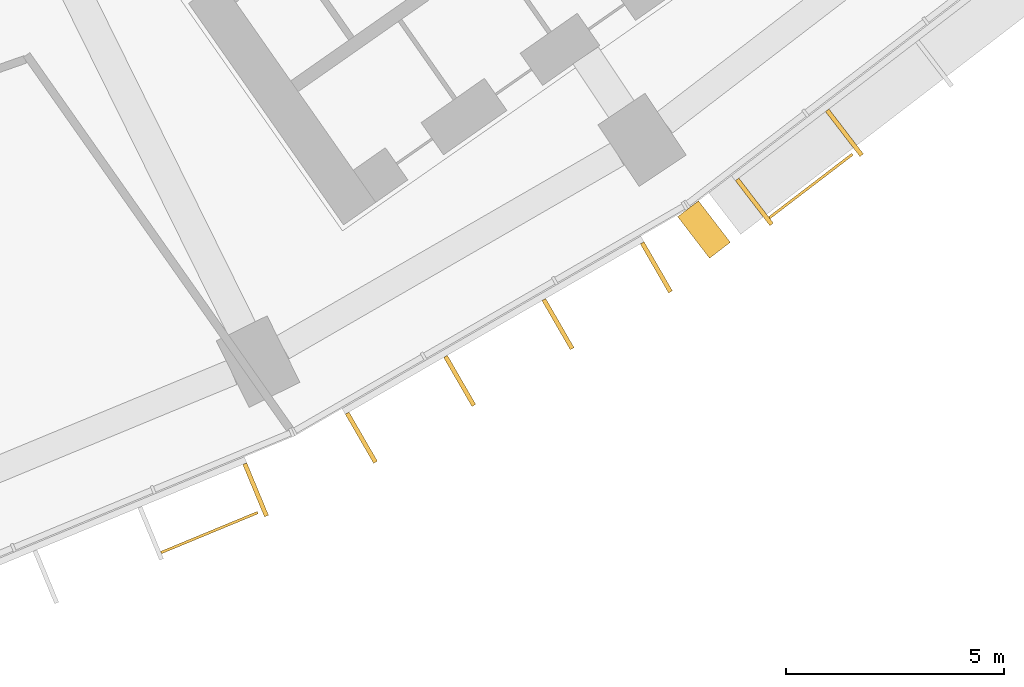
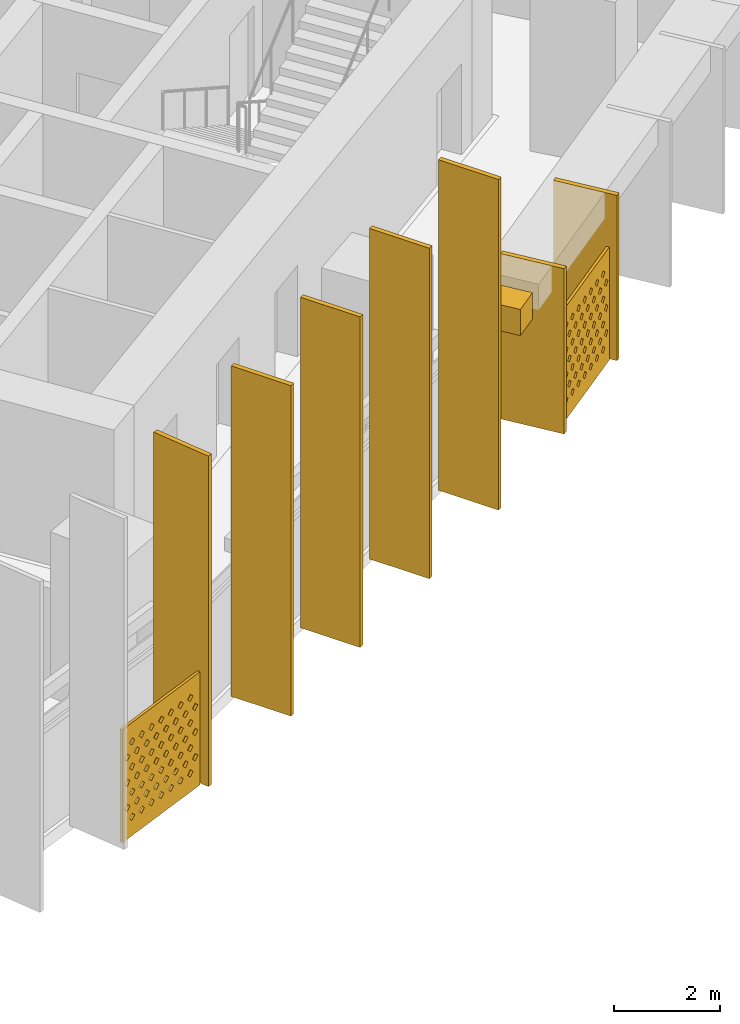
# One storey, part 29 of 31: 10 shading devices.
"""IFC4 building model written with IfcOpenShell, lengths in metres."""

import ifcopenshell
import ifcopenshell.guid

model = None  # the IFC model being written
_history = None  # IfcOwnerHistory: only IFC2X3 demands one
_inside = {}  # id of a spatial element -> (the spatial element, [elements in it])
_under = {}  # id of a project, library or spatial element -> (it, [spatial elements below it])
_declared = {}  # id of a project -> (the project, [libraries it declares])
_typed = {}  # id of a type object -> (the type object, [elements of that type])
_made_of = {}  # id of a material, layer set ... -> (it, [elements and type objects made of it])


def new_model(schema):
    """Start an empty IFC model of exactly this schema.

    Asked for "IFC4X3", IfcOpenShell would pick the latest addendum, in which some entities
    have other attributes; the version numbers below select the first issue.
    IFC2X3 requires an IfcOwnerHistory on every rooted entity: one is made here for all.
    """
    global model, _history
    if schema == "IFC4X3":
        model = ifcopenshell.file(schema_version=(4, 3, 0, 0))
    else:
        model = ifcopenshell.file(schema=schema)
    _inside.clear()
    _under.clear()
    _declared.clear()
    _typed.clear()
    _made_of.clear()
    _history = None
    if model.schema == "IFC2X3":
        org = make("IfcOrganization", Name="unknown")
        user = make(
            "IfcPersonAndOrganization",
            ThePerson=make("IfcPerson", FamilyName="unknown"),
            TheOrganization=org,
        )
        app = make(
            "IfcApplication",
            ApplicationDeveloper=org,
            Version="unknown",
            ApplicationFullName="unknown",
            ApplicationIdentifier="unknown",
        )
        _history = make(
            "IfcOwnerHistory",
            OwningUser=user,
            OwningApplication=app,
            ChangeAction="ADDED",
            CreationDate=0,
        )
    return model


def make(cls, **values):
    """One entity of the class cls with the attributes given. An attribute that is None is left unset."""
    return model.create_entity(
        cls, **{name: value for name, value in values.items() if value is not None}
    )


def rooted(cls, **values):
    """An entity with a GlobalId (a new one), such as an element, a storey or a relation."""
    return make(cls, GlobalId=ifcopenshell.guid.new(), OwnerHistory=_history, **values)


def si_unit(unit_type, name, prefix=None):
    """IfcSIUnit, for example si_unit("LENGTHUNIT", "METRE", prefix="MILLI")."""
    return make("IfcSIUnit", UnitType=unit_type, Prefix=prefix, Name=name)


def assignment(units):
    """IfcUnitAssignment: the units of a project."""
    return None if units is None else make("IfcUnitAssignment", Units=units)


def point(xyz):
    """IfcCartesianPoint."""
    return None if xyz is None else make("IfcCartesianPoint", Coordinates=xyz)


def direction(xyz):
    """IfcDirection."""
    return None if xyz is None else make("IfcDirection", DirectionRatios=xyz)


def frame(location, z_axis=None, x_axis=None):
    """IfcAxis2Placement3D, a coordinate frame: its origin and axes. An axis left out is left unset."""
    return make(
        "IfcAxis2Placement3D",
        Location=point(location),
        Axis=direction(z_axis),
        RefDirection=direction(x_axis),
    )


def frame_2d(location, x_axis=None):
    """IfcAxis2Placement2D, a coordinate frame in the plane: its origin and x axis."""
    return make(
        "IfcAxis2Placement2D", Location=point(location), RefDirection=direction(x_axis)
    )


def origin():
    """The frame at (0, 0, 0) with its axes left unset."""
    return frame((0.0, 0.0, 0.0))


def origin_2d():
    """The frame at (0, 0) in the plane with its x axis left unset."""
    return frame_2d((0.0, 0.0))


def place(relative_to, where):
    """IfcLocalPlacement: puts the frame where relative to a parent placement (None: the world)."""
    return make(
        "IfcLocalPlacement", PlacementRelTo=relative_to, RelativePlacement=where
    )


def context(
    kind, dimensions, precision=None, world=None, true_north=None, identifier=None
):
    """IfcGeometricRepresentationContext, for example the 3D "Model" context."""
    return make(
        "IfcGeometricRepresentationContext",
        ContextIdentifier=identifier,
        ContextType=kind,
        CoordinateSpaceDimension=dimensions,
        Precision=precision,
        WorldCoordinateSystem=world,
        TrueNorth=true_north,
    )


def subcontext(parent, identifier, kind, view, scale=None):
    """IfcGeometricRepresentationSubContext, for example "Body" below "Model"."""
    return make(
        "IfcGeometricRepresentationSubContext",
        ContextIdentifier=identifier,
        ContextType=kind,
        ParentContext=parent,
        TargetScale=scale,
        TargetView=view,
    )


def project(units=None, contexts=None):
    """IfcProject with its units and contexts."""
    return rooted(
        "IfcProject",
        Name="project",
        RepresentationContexts=contexts,
        UnitsInContext=assignment(units),
    )


def spatial(cls, under=None, at=None, **own):
    """A site, building, storey or space (cls), placed at a placement, below another one or the project."""
    s = rooted(cls, ObjectPlacement=at, **own)
    if under is not None:
        _under.setdefault(under.id(), (under, []))[1].append(s)
    return s


def polyline(points):
    """IfcPolyline through the points."""
    return make("IfcPolyline", Points=[point(p) for p in points])


def profile(cls, at=None, kind="AREA", **sizes):
    """A parametric profile (cls). Its sizes go by their IFC names, for example OverallWidth=200.0."""
    return make(cls, ProfileType=kind, Position=at, **sizes)


def rectangle(**sizes):
    """IfcRectangleProfileDef."""
    return profile("IfcRectangleProfileDef", **sizes)


def outline(outer, holes=None, kind="AREA"):
    """IfcArbitraryClosedProfileDef: a profile drawn as a closed curve; with holes, ...WithVoids."""
    if holes is None:
        return make("IfcArbitraryClosedProfileDef", ProfileType=kind, OuterCurve=outer)
    return make(
        "IfcArbitraryProfileDefWithVoids",
        ProfileType=kind,
        OuterCurve=outer,
        InnerCurves=holes,
    )


def extrude(swept, where, along, depth):
    """IfcExtrudedAreaSolid: the profile swept, set in the frame where, extruded along a direction by depth."""
    return make(
        "IfcExtrudedAreaSolid",
        SweptArea=swept,
        Position=where,
        ExtrudedDirection=direction(along),
        Depth=depth,
    )


def shape(context_of_items, identifier, shape_type, items):
    """IfcShapeRepresentation: the items that make up one representation, for example the "Body"."""
    return make(
        "IfcShapeRepresentation",
        ContextOfItems=context_of_items,
        RepresentationIdentifier=identifier,
        RepresentationType=shape_type,
        Items=items,
    )


def material(Name=None, Category=None):
    """IfcMaterial."""
    return make("IfcMaterial", Name=Name, Category=Category)


def material_profile(
    of_material, cross_section, Name=None, Category=None, Priority=None
):
    """IfcMaterialProfile: a cross section and its material."""
    return make(
        "IfcMaterialProfile",
        Name=Name,
        Material=of_material,
        Profile=cross_section,
        Priority=Priority,
        Category=Category,
    )


def profile_set(profiles, Name=None, composite=None):
    """IfcMaterialProfileSet."""
    return make(
        "IfcMaterialProfileSet",
        Name=Name,
        MaterialProfiles=profiles,
        CompositeProfile=composite,
    )


def made_of(thing, what):
    """Note that an element or type object is made of a material, layer set ...; save() writes the relation."""
    if what is not None:
        _made_of.setdefault(what.id(), (what, []))[1].append(thing)
    return thing


def type_object(cls, material=None, **own):
    """A type object (cls), such as IfcWallType, which elements share."""
    return made_of(rooted(cls, **own), material)


def element(
    cls,
    number,
    at=None,
    inside=None,
    cuts=None,
    type_object=None,
    material=None,
    context=None,
    identifier="Body",
    shape_type=None,
    held_by="IfcProductDefinitionShape",
    body=None,
    shapes=None,
    **own,
):
    """One element of the class cls, such as IfcWall. Its Tag is "e" and its number.

    at: its placement. inside: the storey or other place that contains it. cuts: it is an
    opening in that element (IfcRelVoidsElement). A single representation is given by context,
    identifier, shape_type and body (its items); several are given by shapes. held_by: the class
    of the entity that holds the representations. save() writes the other relations.
    """
    e = rooted(cls, Tag="e%d" % number, ObjectPlacement=at, **own)
    if body is not None:
        shapes = [shape(context, identifier, shape_type, body)]
    if shapes is not None:
        e.Representation = make(held_by, Representations=shapes)
    if inside is not None:
        _inside.setdefault(inside.id(), (inside, []))[1].append(e)
    if cuts is not None:
        rooted(
            "IfcRelVoidsElement", RelatingBuildingElement=cuts, RelatedOpeningElement=e
        )
    if type_object is not None:
        _typed.setdefault(type_object.id(), (type_object, []))[1].append(e)
    return made_of(e, material)


def aggregate(whole, parts):
    """IfcRelAggregates: a whole, such as a stair, and the parts it consists of."""
    return rooted("IfcRelAggregates", RelatingObject=whole, RelatedObjects=parts)


def save(model, path):
    """Write the relations noted so far, then the file.

    IfcRelAggregates (storeys below a building ...), IfcRelContainedInSpatialStructure (elements
    in a storey), IfcRelDefinesByType, IfcRelAssociatesMaterial and IfcRelDeclares: one each for
    every whole, place, type object, material and project.
    """
    for whole, parts in _under.values():
        aggregate(whole, parts)
    for where, things in _inside.values():
        rooted(
            "IfcRelContainedInSpatialStructure",
            RelatedElements=things,
            RelatingStructure=where,
        )
    for kind, things in _typed.values():
        rooted("IfcRelDefinesByType", RelatedObjects=things, RelatingType=kind)
    for what, things in _made_of.values():
        rooted("IfcRelAssociatesMaterial", RelatedObjects=things, RelatingMaterial=what)
    for by, libraries in _declared.values():
        rooted("IfcRelDeclares", RelatingContext=by, RelatedDefinitions=libraries)
    model.write(path)


model = new_model("IFC4")

# Units and contexts
model_context = context("Model", 3, precision=1e-05, world=origin(), true_north=direction((0.0, 1.0)))
body_context = subcontext(model_context, "Body", "Model", "MODEL_VIEW")
ifc_project = project(units=[si_unit("LENGTHUNIT", "METRE"), si_unit("AREAUNIT", "SQUARE_METRE"), si_unit("VOLUMEUNIT", "CUBIC_METRE"), si_unit("PLANEANGLEUNIT", "RADIAN"), si_unit("MASSUNIT", "GRAM", prefix="KILO")], contexts=[model_context])

# Site, building, storey
site_placement = place(None, origin())
site = spatial("IfcSite", under=ifc_project, at=site_placement, CompositionType="ELEMENT")
building_placement = place(site_placement, origin())
building = spatial("IfcBuilding", under=site, at=building_placement, Name="Qamariyya Broadcast Tower", CompositionType="ELEMENT")
storey_placement = place(building_placement, frame((0.0, 0.0, 55.699951171875)))
storey = spatial("IfcBuildingStorey", under=building, at=storey_placement, Name="L10", CompositionType="ELEMENT", Elevation=55.699951171875)

# Shading devices
ifc_material_1 = material(Name="Steel S355 powder coated deep red", Category="steel")
shading_device_type_1 = type_object("IfcShadingDeviceType", Name="Deep red frame, powder coated steel box section", PredefinedType="USERDEFINED", material=ifc_material_1)
shading_device_1_placement = place(storey_placement, frame((0.0, 0.0, 3.199951171875)))
element("IfcShadingDevice", 1, at=shading_device_1_placement, inside=storey, type_object=shading_device_type_1, Name="e-frm-B1-F5-posta-L10", ObjectType="FRAME", PredefinedType="USERDEFINED", context=body_context, shape_type="SweptSolid", body=[
    extrude(outline(polyline([(44.01318359375, -66.4091796875), (44.74365234375, -67.361328125), (45.2197265625, -66.995849609375), (44.4892578125, -66.0439453125), (44.01318359375, -66.4091796875)])), origin(), (0.0, 0.0, 1.0), 0.60009765625),
])
ifc_material_2 = material(Name="Perforated glazed terracotta", Category="masonry")
ifc_material_profile_1 = material_profile(ifc_material_2, outline(polyline([(-1.199951171875, -1.300048828125), (1.199951171875, -1.300048828125), (1.199951171875, 1.300048828125), (-1.199951171875, 1.300048828125), (-1.199951171875, -1.300048828125)]), holes=[polyline([(-0.81494140625, -0.86669921875), (-0.89990234375, -0.78173828125), (-0.985107421875, -0.86669921875), (-0.89990234375, -0.95166015625), (-0.81494140625, -0.86669921875)]), polyline([(-0.514892578125, -0.86669921875), (-0.60009765625, -0.78173828125), (-0.68505859375, -0.86669921875), (-0.60009765625, -0.95166015625), (-0.514892578125, -0.86669921875)]), polyline([(-0.215087890625, -0.86669921875), (-0.300048828125, -0.78173828125), (-0.385009765625, -0.86669921875), (-0.300048828125, -0.95166015625), (-0.215087890625, -0.86669921875)]), polyline([(0.0849609375, -0.86669921875), (0.0, -0.78173828125), (-0.0849609375, -0.86669921875), (0.0, -0.95166015625), (0.0849609375, -0.86669921875)]), polyline([(0.385009765625, -0.86669921875), (0.300048828125, -0.78173828125), (0.215087890625, -0.86669921875), (0.300048828125, -0.95166015625), (0.385009765625, -0.86669921875)]), polyline([(0.68505859375, -0.86669921875), (0.60009765625, -0.78173828125), (0.514892578125, -0.86669921875), (0.60009765625, -0.95166015625), (0.68505859375, -0.86669921875)]), polyline([(0.985107421875, -0.86669921875), (0.89990234375, -0.78173828125), (0.81494140625, -0.86669921875), (0.89990234375, -0.95166015625), (0.985107421875, -0.86669921875)]), polyline([(-0.965087890625, -0.577880859375), (-1.050048828125, -0.49267578125), (-1.135009765625, -0.577880859375), (-1.050048828125, -0.662841796875), (-0.965087890625, -0.577880859375)]), polyline([(-0.6650390625, -0.577880859375), (-0.75, -0.49267578125), (-0.8349609375, -0.577880859375), (-0.75, -0.662841796875), (-0.6650390625, -0.577880859375)]), polyline([(-0.364990234375, -0.577880859375), (-0.449951171875, -0.49267578125), (-0.534912109375, -0.577880859375), (-0.449951171875, -0.662841796875), (-0.364990234375, -0.577880859375)]), polyline([(-0.06494140625, -0.577880859375), (-0.14990234375, -0.49267578125), (-0.235107421875, -0.577880859375), (-0.14990234375, -0.662841796875), (-0.06494140625, -0.577880859375)]), polyline([(0.235107421875, -0.577880859375), (0.14990234375, -0.49267578125), (0.06494140625, -0.577880859375), (0.14990234375, -0.662841796875), (0.235107421875, -0.577880859375)]), polyline([(0.534912109375, -0.577880859375), (0.449951171875, -0.49267578125), (0.364990234375, -0.577880859375), (0.449951171875, -0.662841796875), (0.534912109375, -0.577880859375)]), polyline([(0.8349609375, -0.577880859375), (0.75, -0.49267578125), (0.6650390625, -0.577880859375), (0.75, -0.662841796875), (0.8349609375, -0.577880859375)]), polyline([(1.135009765625, -0.577880859375), (1.050048828125, -0.49267578125), (0.965087890625, -0.577880859375), (1.050048828125, -0.662841796875), (1.135009765625, -0.577880859375)]), polyline([(-0.81494140625, -0.288818359375), (-0.89990234375, -0.203857421875), (-0.985107421875, -0.288818359375), (-0.89990234375, -0.373779296875), (-0.81494140625, -0.288818359375)]), polyline([(-0.514892578125, -0.288818359375), (-0.60009765625, -0.203857421875), (-0.68505859375, -0.288818359375), (-0.60009765625, -0.373779296875), (-0.514892578125, -0.288818359375)]), polyline([(-0.215087890625, -0.288818359375), (-0.300048828125, -0.203857421875), (-0.385009765625, -0.288818359375), (-0.300048828125, -0.373779296875), (-0.215087890625, -0.288818359375)]), polyline([(0.0849609375, -0.288818359375), (0.0, -0.203857421875), (-0.0849609375, -0.288818359375), (0.0, -0.373779296875), (0.0849609375, -0.288818359375)]), polyline([(0.385009765625, -0.288818359375), (0.300048828125, -0.203857421875), (0.215087890625, -0.288818359375), (0.300048828125, -0.373779296875), (0.385009765625, -0.288818359375)]), polyline([(0.68505859375, -0.288818359375), (0.60009765625, -0.203857421875), (0.514892578125, -0.288818359375), (0.60009765625, -0.373779296875), (0.68505859375, -0.288818359375)]), polyline([(0.985107421875, -0.288818359375), (0.89990234375, -0.203857421875), (0.81494140625, -0.288818359375), (0.89990234375, -0.373779296875), (0.985107421875, -0.288818359375)]), polyline([(-0.965087890625, 0.0), (-1.050048828125, 0.0849609375), (-1.135009765625, 0.0), (-1.050048828125, -0.0849609375), (-0.965087890625, 0.0)]), polyline([(-0.6650390625, 0.0), (-0.75, 0.0849609375), (-0.8349609375, 0.0), (-0.75, -0.0849609375), (-0.6650390625, 0.0)]), polyline([(-0.364990234375, 0.0), (-0.449951171875, 0.0849609375), (-0.534912109375, 0.0), (-0.449951171875, -0.0849609375), (-0.364990234375, 0.0)]), polyline([(-0.06494140625, 0.0), (-0.14990234375, 0.0849609375), (-0.235107421875, 0.0), (-0.14990234375, -0.0849609375), (-0.06494140625, 0.0)]), polyline([(0.235107421875, 0.0), (0.14990234375, 0.0849609375), (0.06494140625, 0.0), (0.14990234375, -0.0849609375), (0.235107421875, 0.0)]), polyline([(0.534912109375, 0.0), (0.449951171875, 0.0849609375), (0.364990234375, 0.0), (0.449951171875, -0.0849609375), (0.534912109375, 0.0)]), polyline([(0.8349609375, 0.0), (0.75, 0.0849609375), (0.6650390625, 0.0), (0.75, -0.0849609375), (0.8349609375, 0.0)]), polyline([(1.135009765625, 0.0), (1.050048828125, 0.0849609375), (0.965087890625, 0.0), (1.050048828125, -0.0849609375), (1.135009765625, 0.0)]), polyline([(-0.81494140625, 0.288818359375), (-0.89990234375, 0.373779296875), (-0.985107421875, 0.288818359375), (-0.89990234375, 0.203857421875), (-0.81494140625, 0.288818359375)]), polyline([(-0.514892578125, 0.288818359375), (-0.60009765625, 0.373779296875), (-0.68505859375, 0.288818359375), (-0.60009765625, 0.203857421875), (-0.514892578125, 0.288818359375)]), polyline([(-0.215087890625, 0.288818359375), (-0.300048828125, 0.373779296875), (-0.385009765625, 0.288818359375), (-0.300048828125, 0.203857421875), (-0.215087890625, 0.288818359375)]), polyline([(0.0849609375, 0.288818359375), (0.0, 0.373779296875), (-0.0849609375, 0.288818359375), (0.0, 0.203857421875), (0.0849609375, 0.288818359375)]), polyline([(0.385009765625, 0.288818359375), (0.300048828125, 0.373779296875), (0.215087890625, 0.288818359375), (0.300048828125, 0.203857421875), (0.385009765625, 0.288818359375)]), polyline([(0.68505859375, 0.288818359375), (0.60009765625, 0.373779296875), (0.514892578125, 0.288818359375), (0.60009765625, 0.203857421875), (0.68505859375, 0.288818359375)]), polyline([(0.985107421875, 0.288818359375), (0.89990234375, 0.373779296875), (0.81494140625, 0.288818359375), (0.89990234375, 0.203857421875), (0.985107421875, 0.288818359375)]), polyline([(-0.965087890625, 0.577880859375), (-1.050048828125, 0.662841796875), (-1.135009765625, 0.577880859375), (-1.050048828125, 0.49267578125), (-0.965087890625, 0.577880859375)]), polyline([(-0.6650390625, 0.577880859375), (-0.75, 0.662841796875), (-0.8349609375, 0.577880859375), (-0.75, 0.49267578125), (-0.6650390625, 0.577880859375)]), polyline([(-0.364990234375, 0.577880859375), (-0.449951171875, 0.662841796875), (-0.534912109375, 0.577880859375), (-0.449951171875, 0.49267578125), (-0.364990234375, 0.577880859375)]), polyline([(-0.06494140625, 0.577880859375), (-0.14990234375, 0.662841796875), (-0.235107421875, 0.577880859375), (-0.14990234375, 0.49267578125), (-0.06494140625, 0.577880859375)]), polyline([(0.235107421875, 0.577880859375), (0.14990234375, 0.662841796875), (0.06494140625, 0.577880859375), (0.14990234375, 0.49267578125), (0.235107421875, 0.577880859375)]), polyline([(0.534912109375, 0.577880859375), (0.449951171875, 0.662841796875), (0.364990234375, 0.577880859375), (0.449951171875, 0.49267578125), (0.534912109375, 0.577880859375)]), polyline([(0.8349609375, 0.577880859375), (0.75, 0.662841796875), (0.6650390625, 0.577880859375), (0.75, 0.49267578125), (0.8349609375, 0.577880859375)]), polyline([(1.135009765625, 0.577880859375), (1.050048828125, 0.662841796875), (0.965087890625, 0.577880859375), (1.050048828125, 0.49267578125), (1.135009765625, 0.577880859375)]), polyline([(-0.81494140625, 0.86669921875), (-0.89990234375, 0.95166015625), (-0.985107421875, 0.86669921875), (-0.89990234375, 0.78173828125), (-0.81494140625, 0.86669921875)]), polyline([(-0.514892578125, 0.86669921875), (-0.60009765625, 0.95166015625), (-0.68505859375, 0.86669921875), (-0.60009765625, 0.78173828125), (-0.514892578125, 0.86669921875)]), polyline([(-0.215087890625, 0.86669921875), (-0.300048828125, 0.95166015625), (-0.385009765625, 0.86669921875), (-0.300048828125, 0.78173828125), (-0.215087890625, 0.86669921875)]), polyline([(0.0849609375, 0.86669921875), (0.0, 0.95166015625), (-0.0849609375, 0.86669921875), (0.0, 0.78173828125), (0.0849609375, 0.86669921875)]), polyline([(0.385009765625, 0.86669921875), (0.300048828125, 0.95166015625), (0.215087890625, 0.86669921875), (0.300048828125, 0.78173828125), (0.385009765625, 0.86669921875)]), polyline([(0.68505859375, 0.86669921875), (0.60009765625, 0.95166015625), (0.514892578125, 0.86669921875), (0.60009765625, 0.78173828125), (0.68505859375, 0.86669921875)]), polyline([(0.985107421875, 0.86669921875), (0.89990234375, 0.95166015625), (0.81494140625, 0.86669921875), (0.89990234375, 0.78173828125), (0.985107421875, 0.86669921875)])]))
ifc_profile_set_1 = profile_set([ifc_material_profile_1], Name="Perforated glazed terracotta")
shading_device_type_2 = type_object("IfcShadingDeviceType", Name="Perforated terracotta screen 2400 x 2600", PredefinedType="USERDEFINED", material=ifc_profile_set_1)
shading_device_2_placement = place(storey_placement, frame((33.259521484375, -73.6259765625, 1.35009765625), z_axis=(0.382591441855, -0.923917630863, 0.0), x_axis=(0.923917630863, 0.382591441855, 0.0)))
element("IfcShadingDevice", 2, at=shading_device_2_placement, inside=storey, type_object=shading_device_type_2, Name="e-scr-L10-11-2", ObjectType="SCREEN", PredefinedType="USERDEFINED", context=body_context, shape_type="SweptSolid", body=[
    extrude(outline(polyline([(-1.199951171875, -1.300048828125), (1.199951171875, -1.300048828125), (1.199951171875, 1.300048828125), (-1.199951171875, 1.300048828125), (-1.199951171875, -1.300048828125)]), holes=[polyline([(-0.81494140625, -0.86669921875), (-0.89990234375, -0.78173828125), (-0.985107421875, -0.86669921875), (-0.89990234375, -0.95166015625), (-0.81494140625, -0.86669921875)]), polyline([(-0.514892578125, -0.86669921875), (-0.60009765625, -0.78173828125), (-0.68505859375, -0.86669921875), (-0.60009765625, -0.95166015625), (-0.514892578125, -0.86669921875)]), polyline([(-0.215087890625, -0.86669921875), (-0.300048828125, -0.78173828125), (-0.385009765625, -0.86669921875), (-0.300048828125, -0.95166015625), (-0.215087890625, -0.86669921875)]), polyline([(0.0849609375, -0.86669921875), (0.0, -0.78173828125), (-0.0849609375, -0.86669921875), (0.0, -0.95166015625), (0.0849609375, -0.86669921875)]), polyline([(0.385009765625, -0.86669921875), (0.300048828125, -0.78173828125), (0.215087890625, -0.86669921875), (0.300048828125, -0.95166015625), (0.385009765625, -0.86669921875)]), polyline([(0.68505859375, -0.86669921875), (0.60009765625, -0.78173828125), (0.514892578125, -0.86669921875), (0.60009765625, -0.95166015625), (0.68505859375, -0.86669921875)]), polyline([(0.985107421875, -0.86669921875), (0.89990234375, -0.78173828125), (0.81494140625, -0.86669921875), (0.89990234375, -0.95166015625), (0.985107421875, -0.86669921875)]), polyline([(-0.965087890625, -0.577880859375), (-1.050048828125, -0.49267578125), (-1.135009765625, -0.577880859375), (-1.050048828125, -0.662841796875), (-0.965087890625, -0.577880859375)]), polyline([(-0.6650390625, -0.577880859375), (-0.75, -0.49267578125), (-0.8349609375, -0.577880859375), (-0.75, -0.662841796875), (-0.6650390625, -0.577880859375)]), polyline([(-0.364990234375, -0.577880859375), (-0.449951171875, -0.49267578125), (-0.534912109375, -0.577880859375), (-0.449951171875, -0.662841796875), (-0.364990234375, -0.577880859375)]), polyline([(-0.06494140625, -0.577880859375), (-0.14990234375, -0.49267578125), (-0.235107421875, -0.577880859375), (-0.14990234375, -0.662841796875), (-0.06494140625, -0.577880859375)]), polyline([(0.235107421875, -0.577880859375), (0.14990234375, -0.49267578125), (0.06494140625, -0.577880859375), (0.14990234375, -0.662841796875), (0.235107421875, -0.577880859375)]), polyline([(0.534912109375, -0.577880859375), (0.449951171875, -0.49267578125), (0.364990234375, -0.577880859375), (0.449951171875, -0.662841796875), (0.534912109375, -0.577880859375)]), polyline([(0.8349609375, -0.577880859375), (0.75, -0.49267578125), (0.6650390625, -0.577880859375), (0.75, -0.662841796875), (0.8349609375, -0.577880859375)]), polyline([(1.135009765625, -0.577880859375), (1.050048828125, -0.49267578125), (0.965087890625, -0.577880859375), (1.050048828125, -0.662841796875), (1.135009765625, -0.577880859375)]), polyline([(-0.81494140625, -0.288818359375), (-0.89990234375, -0.203857421875), (-0.985107421875, -0.288818359375), (-0.89990234375, -0.373779296875), (-0.81494140625, -0.288818359375)]), polyline([(-0.514892578125, -0.288818359375), (-0.60009765625, -0.203857421875), (-0.68505859375, -0.288818359375), (-0.60009765625, -0.373779296875), (-0.514892578125, -0.288818359375)]), polyline([(-0.215087890625, -0.288818359375), (-0.300048828125, -0.203857421875), (-0.385009765625, -0.288818359375), (-0.300048828125, -0.373779296875), (-0.215087890625, -0.288818359375)]), polyline([(0.0849609375, -0.288818359375), (0.0, -0.203857421875), (-0.0849609375, -0.288818359375), (0.0, -0.373779296875), (0.0849609375, -0.288818359375)]), polyline([(0.385009765625, -0.288818359375), (0.300048828125, -0.203857421875), (0.215087890625, -0.288818359375), (0.300048828125, -0.373779296875), (0.385009765625, -0.288818359375)]), polyline([(0.68505859375, -0.288818359375), (0.60009765625, -0.203857421875), (0.514892578125, -0.288818359375), (0.60009765625, -0.373779296875), (0.68505859375, -0.288818359375)]), polyline([(0.985107421875, -0.288818359375), (0.89990234375, -0.203857421875), (0.81494140625, -0.288818359375), (0.89990234375, -0.373779296875), (0.985107421875, -0.288818359375)]), polyline([(-0.965087890625, 0.0), (-1.050048828125, 0.0849609375), (-1.135009765625, 0.0), (-1.050048828125, -0.0849609375), (-0.965087890625, 0.0)]), polyline([(-0.6650390625, 0.0), (-0.75, 0.0849609375), (-0.8349609375, 0.0), (-0.75, -0.0849609375), (-0.6650390625, 0.0)]), polyline([(-0.364990234375, 0.0), (-0.449951171875, 0.0849609375), (-0.534912109375, 0.0), (-0.449951171875, -0.0849609375), (-0.364990234375, 0.0)]), polyline([(-0.06494140625, 0.0), (-0.14990234375, 0.0849609375), (-0.235107421875, 0.0), (-0.14990234375, -0.0849609375), (-0.06494140625, 0.0)]), polyline([(0.235107421875, 0.0), (0.14990234375, 0.0849609375), (0.06494140625, 0.0), (0.14990234375, -0.0849609375), (0.235107421875, 0.0)]), polyline([(0.534912109375, 0.0), (0.449951171875, 0.0849609375), (0.364990234375, 0.0), (0.449951171875, -0.0849609375), (0.534912109375, 0.0)]), polyline([(0.8349609375, 0.0), (0.75, 0.0849609375), (0.6650390625, 0.0), (0.75, -0.0849609375), (0.8349609375, 0.0)]), polyline([(1.135009765625, 0.0), (1.050048828125, 0.0849609375), (0.965087890625, 0.0), (1.050048828125, -0.0849609375), (1.135009765625, 0.0)]), polyline([(-0.81494140625, 0.288818359375), (-0.89990234375, 0.373779296875), (-0.985107421875, 0.288818359375), (-0.89990234375, 0.203857421875), (-0.81494140625, 0.288818359375)]), polyline([(-0.514892578125, 0.288818359375), (-0.60009765625, 0.373779296875), (-0.68505859375, 0.288818359375), (-0.60009765625, 0.203857421875), (-0.514892578125, 0.288818359375)]), polyline([(-0.215087890625, 0.288818359375), (-0.300048828125, 0.373779296875), (-0.385009765625, 0.288818359375), (-0.300048828125, 0.203857421875), (-0.215087890625, 0.288818359375)]), polyline([(0.0849609375, 0.288818359375), (0.0, 0.373779296875), (-0.0849609375, 0.288818359375), (0.0, 0.203857421875), (0.0849609375, 0.288818359375)]), polyline([(0.385009765625, 0.288818359375), (0.300048828125, 0.373779296875), (0.215087890625, 0.288818359375), (0.300048828125, 0.203857421875), (0.385009765625, 0.288818359375)]), polyline([(0.68505859375, 0.288818359375), (0.60009765625, 0.373779296875), (0.514892578125, 0.288818359375), (0.60009765625, 0.203857421875), (0.68505859375, 0.288818359375)]), polyline([(0.985107421875, 0.288818359375), (0.89990234375, 0.373779296875), (0.81494140625, 0.288818359375), (0.89990234375, 0.203857421875), (0.985107421875, 0.288818359375)]), polyline([(-0.965087890625, 0.577880859375), (-1.050048828125, 0.662841796875), (-1.135009765625, 0.577880859375), (-1.050048828125, 0.49267578125), (-0.965087890625, 0.577880859375)]), polyline([(-0.6650390625, 0.577880859375), (-0.75, 0.662841796875), (-0.8349609375, 0.577880859375), (-0.75, 0.49267578125), (-0.6650390625, 0.577880859375)]), polyline([(-0.364990234375, 0.577880859375), (-0.449951171875, 0.662841796875), (-0.534912109375, 0.577880859375), (-0.449951171875, 0.49267578125), (-0.364990234375, 0.577880859375)]), polyline([(-0.06494140625, 0.577880859375), (-0.14990234375, 0.662841796875), (-0.235107421875, 0.577880859375), (-0.14990234375, 0.49267578125), (-0.06494140625, 0.577880859375)]), polyline([(0.235107421875, 0.577880859375), (0.14990234375, 0.662841796875), (0.06494140625, 0.577880859375), (0.14990234375, 0.49267578125), (0.235107421875, 0.577880859375)]), polyline([(0.534912109375, 0.577880859375), (0.449951171875, 0.662841796875), (0.364990234375, 0.577880859375), (0.449951171875, 0.49267578125), (0.534912109375, 0.577880859375)]), polyline([(0.8349609375, 0.577880859375), (0.75, 0.662841796875), (0.6650390625, 0.577880859375), (0.75, 0.49267578125), (0.8349609375, 0.577880859375)]), polyline([(1.135009765625, 0.577880859375), (1.050048828125, 0.662841796875), (0.965087890625, 0.577880859375), (1.050048828125, 0.49267578125), (1.135009765625, 0.577880859375)]), polyline([(-0.81494140625, 0.86669921875), (-0.89990234375, 0.95166015625), (-0.985107421875, 0.86669921875), (-0.89990234375, 0.78173828125), (-0.81494140625, 0.86669921875)]), polyline([(-0.514892578125, 0.86669921875), (-0.60009765625, 0.95166015625), (-0.68505859375, 0.86669921875), (-0.60009765625, 0.78173828125), (-0.514892578125, 0.86669921875)]), polyline([(-0.215087890625, 0.86669921875), (-0.300048828125, 0.95166015625), (-0.385009765625, 0.86669921875), (-0.300048828125, 0.78173828125), (-0.215087890625, 0.86669921875)]), polyline([(0.0849609375, 0.86669921875), (0.0, 0.95166015625), (-0.0849609375, 0.86669921875), (0.0, 0.78173828125), (0.0849609375, 0.86669921875)]), polyline([(0.385009765625, 0.86669921875), (0.300048828125, 0.95166015625), (0.215087890625, 0.86669921875), (0.300048828125, 0.78173828125), (0.385009765625, 0.86669921875)]), polyline([(0.68505859375, 0.86669921875), (0.60009765625, 0.95166015625), (0.514892578125, 0.86669921875), (0.60009765625, 0.78173828125), (0.68505859375, 0.86669921875)]), polyline([(0.985107421875, 0.86669921875), (0.89990234375, 0.95166015625), (0.81494140625, 0.86669921875), (0.89990234375, 0.78173828125), (0.985107421875, 0.86669921875)])]), origin(), (0.0, 0.0, 1.0), 0.06005859375),
])
shading_device_3_placement = place(storey_placement, frame((47.04931640625, -65.680419921875, 1.35009765625), z_axis=(0.607147566278, -0.794589096806, 0.0), x_axis=(0.794589096806, 0.607147566278, 0.0)))
element("IfcShadingDevice", 3, at=shading_device_3_placement, inside=storey, type_object=shading_device_type_2, Name="e-scr-L10-13-0", ObjectType="SCREEN", PredefinedType="USERDEFINED", context=body_context, shape_type="SweptSolid", body=[
    extrude(outline(polyline([(-1.199951171875, -1.300048828125), (1.199951171875, -1.300048828125), (1.199951171875, 1.300048828125), (-1.199951171875, 1.300048828125), (-1.199951171875, -1.300048828125)]), holes=[polyline([(-0.81494140625, -0.86669921875), (-0.89990234375, -0.78173828125), (-0.985107421875, -0.86669921875), (-0.89990234375, -0.95166015625), (-0.81494140625, -0.86669921875)]), polyline([(-0.514892578125, -0.86669921875), (-0.60009765625, -0.78173828125), (-0.68505859375, -0.86669921875), (-0.60009765625, -0.95166015625), (-0.514892578125, -0.86669921875)]), polyline([(-0.215087890625, -0.86669921875), (-0.300048828125, -0.78173828125), (-0.385009765625, -0.86669921875), (-0.300048828125, -0.95166015625), (-0.215087890625, -0.86669921875)]), polyline([(0.0849609375, -0.86669921875), (0.0, -0.78173828125), (-0.0849609375, -0.86669921875), (0.0, -0.95166015625), (0.0849609375, -0.86669921875)]), polyline([(0.385009765625, -0.86669921875), (0.300048828125, -0.78173828125), (0.215087890625, -0.86669921875), (0.300048828125, -0.95166015625), (0.385009765625, -0.86669921875)]), polyline([(0.68505859375, -0.86669921875), (0.60009765625, -0.78173828125), (0.514892578125, -0.86669921875), (0.60009765625, -0.95166015625), (0.68505859375, -0.86669921875)]), polyline([(0.985107421875, -0.86669921875), (0.89990234375, -0.78173828125), (0.81494140625, -0.86669921875), (0.89990234375, -0.95166015625), (0.985107421875, -0.86669921875)]), polyline([(-0.965087890625, -0.577880859375), (-1.050048828125, -0.49267578125), (-1.135009765625, -0.577880859375), (-1.050048828125, -0.662841796875), (-0.965087890625, -0.577880859375)]), polyline([(-0.6650390625, -0.577880859375), (-0.75, -0.49267578125), (-0.8349609375, -0.577880859375), (-0.75, -0.662841796875), (-0.6650390625, -0.577880859375)]), polyline([(-0.364990234375, -0.577880859375), (-0.449951171875, -0.49267578125), (-0.534912109375, -0.577880859375), (-0.449951171875, -0.662841796875), (-0.364990234375, -0.577880859375)]), polyline([(-0.06494140625, -0.577880859375), (-0.14990234375, -0.49267578125), (-0.235107421875, -0.577880859375), (-0.14990234375, -0.662841796875), (-0.06494140625, -0.577880859375)]), polyline([(0.235107421875, -0.577880859375), (0.14990234375, -0.49267578125), (0.06494140625, -0.577880859375), (0.14990234375, -0.662841796875), (0.235107421875, -0.577880859375)]), polyline([(0.534912109375, -0.577880859375), (0.449951171875, -0.49267578125), (0.364990234375, -0.577880859375), (0.449951171875, -0.662841796875), (0.534912109375, -0.577880859375)]), polyline([(0.8349609375, -0.577880859375), (0.75, -0.49267578125), (0.6650390625, -0.577880859375), (0.75, -0.662841796875), (0.8349609375, -0.577880859375)]), polyline([(1.135009765625, -0.577880859375), (1.050048828125, -0.49267578125), (0.965087890625, -0.577880859375), (1.050048828125, -0.662841796875), (1.135009765625, -0.577880859375)]), polyline([(-0.81494140625, -0.288818359375), (-0.89990234375, -0.203857421875), (-0.985107421875, -0.288818359375), (-0.89990234375, -0.373779296875), (-0.81494140625, -0.288818359375)]), polyline([(-0.514892578125, -0.288818359375), (-0.60009765625, -0.203857421875), (-0.68505859375, -0.288818359375), (-0.60009765625, -0.373779296875), (-0.514892578125, -0.288818359375)]), polyline([(-0.215087890625, -0.288818359375), (-0.300048828125, -0.203857421875), (-0.385009765625, -0.288818359375), (-0.300048828125, -0.373779296875), (-0.215087890625, -0.288818359375)]), polyline([(0.0849609375, -0.288818359375), (0.0, -0.203857421875), (-0.0849609375, -0.288818359375), (0.0, -0.373779296875), (0.0849609375, -0.288818359375)]), polyline([(0.385009765625, -0.288818359375), (0.300048828125, -0.203857421875), (0.215087890625, -0.288818359375), (0.300048828125, -0.373779296875), (0.385009765625, -0.288818359375)]), polyline([(0.68505859375, -0.288818359375), (0.60009765625, -0.203857421875), (0.514892578125, -0.288818359375), (0.60009765625, -0.373779296875), (0.68505859375, -0.288818359375)]), polyline([(0.985107421875, -0.288818359375), (0.89990234375, -0.203857421875), (0.81494140625, -0.288818359375), (0.89990234375, -0.373779296875), (0.985107421875, -0.288818359375)]), polyline([(-0.965087890625, 0.0), (-1.050048828125, 0.0849609375), (-1.135009765625, 0.0), (-1.050048828125, -0.0849609375), (-0.965087890625, 0.0)]), polyline([(-0.6650390625, 0.0), (-0.75, 0.0849609375), (-0.8349609375, 0.0), (-0.75, -0.0849609375), (-0.6650390625, 0.0)]), polyline([(-0.364990234375, 0.0), (-0.449951171875, 0.0849609375), (-0.534912109375, 0.0), (-0.449951171875, -0.0849609375), (-0.364990234375, 0.0)]), polyline([(-0.06494140625, 0.0), (-0.14990234375, 0.0849609375), (-0.235107421875, 0.0), (-0.14990234375, -0.0849609375), (-0.06494140625, 0.0)]), polyline([(0.235107421875, 0.0), (0.14990234375, 0.0849609375), (0.06494140625, 0.0), (0.14990234375, -0.0849609375), (0.235107421875, 0.0)]), polyline([(0.534912109375, 0.0), (0.449951171875, 0.0849609375), (0.364990234375, 0.0), (0.449951171875, -0.0849609375), (0.534912109375, 0.0)]), polyline([(0.8349609375, 0.0), (0.75, 0.0849609375), (0.6650390625, 0.0), (0.75, -0.0849609375), (0.8349609375, 0.0)]), polyline([(1.135009765625, 0.0), (1.050048828125, 0.0849609375), (0.965087890625, 0.0), (1.050048828125, -0.0849609375), (1.135009765625, 0.0)]), polyline([(-0.81494140625, 0.288818359375), (-0.89990234375, 0.373779296875), (-0.985107421875, 0.288818359375), (-0.89990234375, 0.203857421875), (-0.81494140625, 0.288818359375)]), polyline([(-0.514892578125, 0.288818359375), (-0.60009765625, 0.373779296875), (-0.68505859375, 0.288818359375), (-0.60009765625, 0.203857421875), (-0.514892578125, 0.288818359375)]), polyline([(-0.215087890625, 0.288818359375), (-0.300048828125, 0.373779296875), (-0.385009765625, 0.288818359375), (-0.300048828125, 0.203857421875), (-0.215087890625, 0.288818359375)]), polyline([(0.0849609375, 0.288818359375), (0.0, 0.373779296875), (-0.0849609375, 0.288818359375), (0.0, 0.203857421875), (0.0849609375, 0.288818359375)]), polyline([(0.385009765625, 0.288818359375), (0.300048828125, 0.373779296875), (0.215087890625, 0.288818359375), (0.300048828125, 0.203857421875), (0.385009765625, 0.288818359375)]), polyline([(0.68505859375, 0.288818359375), (0.60009765625, 0.373779296875), (0.514892578125, 0.288818359375), (0.60009765625, 0.203857421875), (0.68505859375, 0.288818359375)]), polyline([(0.985107421875, 0.288818359375), (0.89990234375, 0.373779296875), (0.81494140625, 0.288818359375), (0.89990234375, 0.203857421875), (0.985107421875, 0.288818359375)]), polyline([(-0.965087890625, 0.577880859375), (-1.050048828125, 0.662841796875), (-1.135009765625, 0.577880859375), (-1.050048828125, 0.49267578125), (-0.965087890625, 0.577880859375)]), polyline([(-0.6650390625, 0.577880859375), (-0.75, 0.662841796875), (-0.8349609375, 0.577880859375), (-0.75, 0.49267578125), (-0.6650390625, 0.577880859375)]), polyline([(-0.364990234375, 0.577880859375), (-0.449951171875, 0.662841796875), (-0.534912109375, 0.577880859375), (-0.449951171875, 0.49267578125), (-0.364990234375, 0.577880859375)]), polyline([(-0.06494140625, 0.577880859375), (-0.14990234375, 0.662841796875), (-0.235107421875, 0.577880859375), (-0.14990234375, 0.49267578125), (-0.06494140625, 0.577880859375)]), polyline([(0.235107421875, 0.577880859375), (0.14990234375, 0.662841796875), (0.06494140625, 0.577880859375), (0.14990234375, 0.49267578125), (0.235107421875, 0.577880859375)]), polyline([(0.534912109375, 0.577880859375), (0.449951171875, 0.662841796875), (0.364990234375, 0.577880859375), (0.449951171875, 0.49267578125), (0.534912109375, 0.577880859375)]), polyline([(0.8349609375, 0.577880859375), (0.75, 0.662841796875), (0.6650390625, 0.577880859375), (0.75, 0.49267578125), (0.8349609375, 0.577880859375)]), polyline([(1.135009765625, 0.577880859375), (1.050048828125, 0.662841796875), (0.965087890625, 0.577880859375), (1.050048828125, 0.49267578125), (1.135009765625, 0.577880859375)]), polyline([(-0.81494140625, 0.86669921875), (-0.89990234375, 0.95166015625), (-0.985107421875, 0.86669921875), (-0.89990234375, 0.78173828125), (-0.81494140625, 0.86669921875)]), polyline([(-0.514892578125, 0.86669921875), (-0.60009765625, 0.95166015625), (-0.68505859375, 0.86669921875), (-0.60009765625, 0.78173828125), (-0.514892578125, 0.86669921875)]), polyline([(-0.215087890625, 0.86669921875), (-0.300048828125, 0.95166015625), (-0.385009765625, 0.86669921875), (-0.300048828125, 0.78173828125), (-0.215087890625, 0.86669921875)]), polyline([(0.0849609375, 0.86669921875), (0.0, 0.95166015625), (-0.0849609375, 0.86669921875), (0.0, 0.78173828125), (0.0849609375, 0.86669921875)]), polyline([(0.385009765625, 0.86669921875), (0.300048828125, 0.95166015625), (0.215087890625, 0.86669921875), (0.300048828125, 0.78173828125), (0.385009765625, 0.86669921875)]), polyline([(0.68505859375, 0.86669921875), (0.60009765625, 0.95166015625), (0.514892578125, 0.86669921875), (0.60009765625, 0.78173828125), (0.68505859375, 0.86669921875)]), polyline([(0.985107421875, 0.86669921875), (0.89990234375, 0.95166015625), (0.81494140625, 0.86669921875), (0.89990234375, 0.78173828125), (0.985107421875, 0.86669921875)])]), origin(), (0.0, 0.0, 1.0), 0.059814453125),
])
ifc_material_3 = material(Name="Glazed terracotta", Category="masonry")
ifc_material_profile_2 = material_profile(ifc_material_3, rectangle(XDim=1.300048828125, YDim=0.10009765625, at=origin_2d()))
ifc_profile_set_2 = profile_set([ifc_material_profile_2], Name="Glazed terracotta")
shading_device_type_3 = type_object("IfcShadingDeviceType", Name="Terracotta fin 100 x 1300", PredefinedType="USERDEFINED", material=ifc_profile_set_2)
for number, where, z_axis, x_axis, name in (
    (4, (34.331298828125, -72.67333984375, 0.0), (0.0, 0.0, 1.0), (0.382683432365, -0.923879532511, 0.0), "e-fin-L10-11-3"),
    (5, (36.756103515625, -71.4775390625, 0.0), (0.0, 0.0, 1.0), (0.5, -0.866025403784, 0.0), "e-fin-L10-12-0"),
    (6, (39.011962890625, -70.17529296875, 0.0), (0.0, 0.0, 1.0), (0.5, -0.866025403784, 0.0), "e-fin-L10-12-1"),
    (7, (41.267578125, -68.872802734375, 0.0), (0.0, 0.0, 1.0), (0.5, -0.866025403784, 0.0), "e-fin-L10-12-2"),
    (8, (43.523193359375, -67.570556640625, 0.0), (0.0, 0.0, 1.0), (0.5, -0.866025403784, 0.0), "e-fin-L10-12-3"),
):
    element("IfcShadingDevice", number, at=place(storey_placement, frame(where, z_axis=z_axis, x_axis=x_axis)), inside=storey, type_object=shading_device_type_3, Name=name, ObjectType="FIN", PredefinedType="USERDEFINED", context=body_context, shape_type="SweptSolid", body=[
        extrude(rectangle(XDim=1.300048828125, YDim=0.10009765625, at=origin_2d()), origin(), (0.0, 0.0, 1.0), 7.60009765625),
    ])
for number, where, z_axis, x_axis, name in (
    (9, (45.771484375, -66.068359375, 0.0), (0.0, 0.0, 1.0), (0.608761429009, -0.793353340291, 0.0), "e-fin-L10-13-0"),
    (10, (47.837890625, -64.48291015625, 0.0), (0.0, 0.0, 1.0), (0.608761429009, -0.793353340291, 0.0), "e-fin-L10-13-1"),
):
    element("IfcShadingDevice", number, at=place(storey_placement, frame(where, z_axis=z_axis, x_axis=x_axis)), inside=storey, type_object=shading_device_type_3, Name=name, ObjectType="FIN", PredefinedType="USERDEFINED", context=body_context, shape_type="SweptSolid", body=[
        extrude(rectangle(XDim=1.300048828125, YDim=0.10009765625, at=origin_2d()), origin(), (0.0, 0.0, 1.0), 3.800048828125),
    ])

save(model, "model.ifc")
